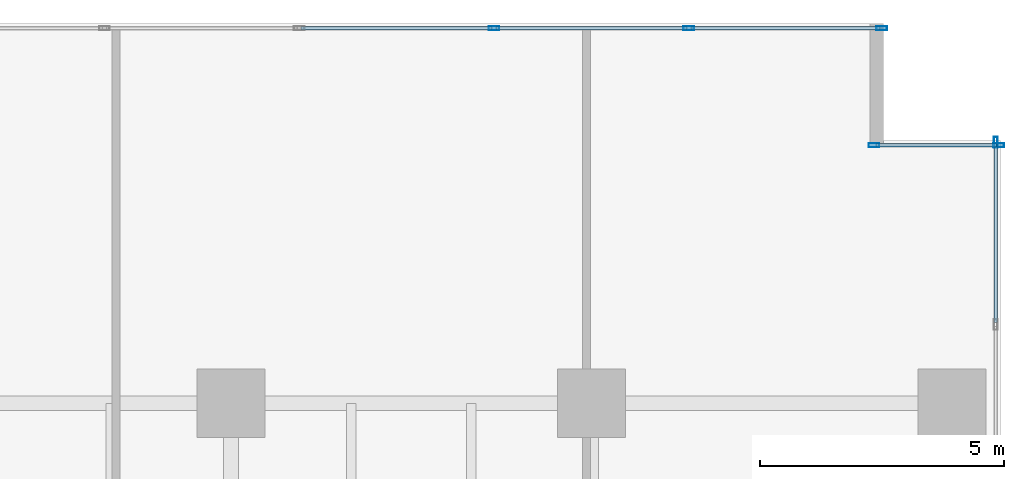
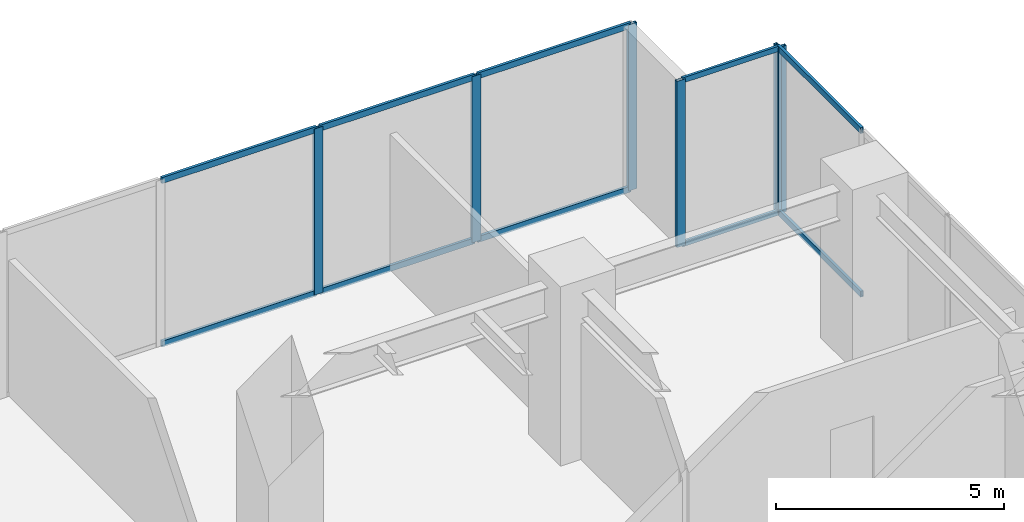
# One storey, part 22 of 32: 16 members, 3 elements without a shape of their own.
"""IFC4 building model written with IfcOpenShell, lengths in metres."""

from ifc_helpers import new_model, si_unit, direction, frame, origin, origin_2d, place, context, subcontext, project, spatial, hollow_rectangle, extrude, source, transform, mapped, material, layer, layer_set, material_profile, profile_set, type_object, type_shapes, element, aggregate, save


model = new_model("IFC4")

# Units and contexts
model_context = context("Model", 3, precision=1e-05, world=origin(), true_north=direction((0.0, 1.0)))
body_context = subcontext(model_context, "Body", "Model", "MODEL_VIEW")
ifc_project = project(units=[si_unit("LENGTHUNIT", "METRE"), si_unit("AREAUNIT", "SQUARE_METRE"), si_unit("VOLUMEUNIT", "CUBIC_METRE"), si_unit("PLANEANGLEUNIT", "RADIAN"), si_unit("MASSUNIT", "GRAM", prefix="KILO")], contexts=[model_context])

# Site, building, storey
site_placement = place(None, origin())
site = spatial("IfcSite", under=ifc_project, at=site_placement, CompositionType="ELEMENT")
building_placement = place(site_placement, origin())
building = spatial("IfcBuilding", under=site, at=building_placement, Name="Haelvirn Gate Laboratories", CompositionType="ELEMENT")
storey_placement = place(building_placement, frame((0.0, 0.0, 5.39990234375)))
storey = spatial("IfcBuildingStorey", under=building, at=storey_placement, Name="L02", CompositionType="ELEMENT", Elevation=5.39990234375)

# Curtain wall, member
ifc_material_1 = material(Name="Anodised bronze unitised aluminium & triple low-E glass", Category="aluminium")
ifc_layer_1 = layer(ifc_material_1, 0.18798828125, Name="CW-SYS-1")
ifc_layer_set_1 = layer_set([ifc_layer_1], Name="Anodised bronze unitised aluminium & triple low-E glass")
curtain_wall_type_1 = type_object("IfcCurtainWallType", Name="CW-SYS-1", PredefinedType="NOTDEFINED", material=ifc_layer_set_1)
curtain_wall_1_placement = place(storey_placement, origin())
curtain_wall_1 = element("IfcCurtainWall", 1, at=curtain_wall_1_placement, inside=storey, type_object=curtain_wall_type_1, Name="L02 Unitised Curtain Wall CW-L02-P1-E03", PredefinedType="NOTDEFINED")
ifc_material_2 = material(Name="Extruded aluminium 6063-T6 (anodised bronze)", Category="aluminium")
ifc_material_profile_1 = material_profile(ifc_material_2, hollow_rectangle(XDim=0.080078125, YDim=0.219970703125, WallThickness=0.006103515625, at=origin_2d()), Name="CWM-220x80x6")
ifc_profile_set_1 = profile_set([ifc_material_profile_1], Name="Extruded aluminium 6063-T6 (anodised bronze)")
member_type_1 = type_object("IfcMemberType", Name="CWM-T220", PredefinedType="MULLION", material=ifc_profile_set_1)
shared_shape_1 = source(origin(), body_context, "Body", "SweptSolid", [
    extrude(hollow_rectangle(XDim=0.080078125, YDim=0.219970703125, WallThickness=0.006103515625, at=origin_2d()), origin(), (0.0, 0.0, 1.0), 4.4501953125),
])
type_shapes(member_type_1, [shared_shape_1])
member_1_placement = place(storey_placement, frame((75.699951171875, 46.9599609375, 0.0), z_axis=(0.0, 0.0, 1.0), x_axis=(-1.0, 0.0, 0.0)))
member_1 = element("IfcMember", 2, at=member_1_placement, type_object=member_type_1, Name="CW1 mullion 13", PredefinedType="MULLION", context=body_context, shape_type="MappedRepresentation", body=[
    mapped(shared_shape_1, transform((0.0, 0.0, 0.0), scale=1.0)),
])

# Curtain wall, members
ifc_layer_2 = layer(ifc_material_1, 0.181884765625, Name="CW-SYS-5")
ifc_layer_set_2 = layer_set([ifc_layer_2], Name="Anodised bronze unitised aluminium & triple low-E glass")
curtain_wall_type_2 = type_object("IfcCurtainWallType", Name="CW-SYS-5", PredefinedType="NOTDEFINED", material=ifc_layer_set_2)
curtain_wall_2_placement = place(storey_placement, origin())
curtain_wall_2 = element("IfcCurtainWall", 3, at=curtain_wall_2_placement, inside=storey, type_object=curtain_wall_type_2, Name="L02 Unitised Curtain Wall CW-L02-P1-E04-1", PredefinedType="NOTDEFINED")
member_2_placement = place(storey_placement, frame((73.199951171875, 46.89990234375, 0.0), z_axis=(0.0, 0.0, 1.0), x_axis=(0.0, 1.0, 0.0)))
member_2 = element("IfcMember", 4, at=member_2_placement, type_object=member_type_1, Name="CW5 mullion 1", PredefinedType="MULLION", context=body_context, shape_type="MappedRepresentation", body=[
    mapped(shared_shape_1, transform((0.0, 0.0, 0.0), scale=1.0)),
])
member_3_placement = place(storey_placement, frame((75.760009765625, 46.89990234375, 0.0), z_axis=(0.0, 0.0, 1.0), x_axis=(0.0, 1.0, 0.0)))
member_3 = element("IfcMember", 5, at=member_3_placement, type_object=member_type_1, Name="CW5 mullion 2", PredefinedType="MULLION", context=body_context, shape_type="MappedRepresentation", body=[
    mapped(shared_shape_1, transform((0.0, 0.0, 0.0), scale=1.0)),
])

curtain_wall_3_placement = place(storey_placement, origin())
curtain_wall_3 = element("IfcCurtainWall", 6, at=curtain_wall_3_placement, inside=storey, type_object=curtain_wall_type_1, Name="L02 Unitised Curtain Wall CW-L02-P1-E06-1", PredefinedType="NOTDEFINED")
member_4_placement = place(storey_placement, frame((65.39990234375, 49.300048828125, 0.0), z_axis=(0.0, 0.0, 1.0), x_axis=(0.0, 1.0, 0.0)))
member_4 = element("IfcMember", 7, at=member_4_placement, type_object=member_type_1, Name="CW1 mullion 5", PredefinedType="MULLION", context=body_context, shape_type="MappedRepresentation", body=[
    mapped(shared_shape_1, transform((0.0, 0.0, 0.0), scale=1.0)),
])
member_5_placement = place(storey_placement, frame((69.39990234375, 49.300048828125, 0.0), z_axis=(0.0, 0.0, 1.0), x_axis=(0.0, 1.0, 0.0)))
member_5 = element("IfcMember", 8, at=member_5_placement, type_object=member_type_1, Name="CW1 mullion 6", PredefinedType="MULLION", context=body_context, shape_type="MappedRepresentation", body=[
    mapped(shared_shape_1, transform((0.0, 0.0, 0.0), scale=1.0)),
])
member_6_placement = place(storey_placement, frame((73.360107421875, 49.300048828125, 0.0), z_axis=(0.0, 0.0, 1.0), x_axis=(0.0, 1.0, 0.0)))
member_6 = element("IfcMember", 9, at=member_6_placement, type_object=member_type_1, Name="CW1 mullion 7", PredefinedType="MULLION", context=body_context, shape_type="MappedRepresentation", body=[
    mapped(shared_shape_1, transform((0.0, 0.0, 0.0), scale=1.0)),
])
ifc_material_profile_2 = material_profile(ifc_material_2, hollow_rectangle(XDim=0.070068359375, YDim=0.159912109375, WallThickness=0.0048828125, at=origin_2d()), Name="CWT-160x70x5")
ifc_profile_set_2 = profile_set([ifc_material_profile_2], Name="Extruded aluminium 6063-T6 (anodised bronze)")
member_type_2 = type_object("IfcMemberType", Name="CWT-T160", PredefinedType="USERDEFINED", material=ifc_profile_set_2)
shared_shape_2 = source(origin(), body_context, "Body", "SweptSolid", [
    extrude(hollow_rectangle(XDim=0.070068359375, YDim=0.159912109375, WallThickness=0.0048828125, at=origin_2d()), origin(), (0.0, 0.0, 1.0), 3.880126953125),
])
member_7_placement = place(storey_placement, frame((69.43994140625, 49.300048828125, 0.03515625), z_axis=(1.0, 0.0, 0.0), x_axis=(0.0, 1.0, 0.0)))
member_7 = element("IfcMember", 10, at=member_7_placement, type_object=member_type_2, Name="CW1 transom 6.1", ObjectType="TRANSOM", PredefinedType="USERDEFINED", context=body_context, shape_type="MappedRepresentation", body=[
    mapped(shared_shape_2, transform((0.0, 0.0, 0.0), scale=1.0)),
])
member_8_placement = place(storey_placement, frame((69.43994140625, 49.300048828125, 4.4150390625), z_axis=(1.0, 0.0, 0.0), x_axis=(0.0, 1.0, 0.0)))
member_8 = element("IfcMember", 11, at=member_8_placement, type_object=member_type_2, Name="CW1 transom 6.2", ObjectType="TRANSOM", PredefinedType="USERDEFINED", context=body_context, shape_type="MappedRepresentation", body=[
    mapped(shared_shape_2, transform((0.0, 0.0, 0.0), scale=1.0)),
])
shared_shape_3 = source(origin(), body_context, "Body", "SweptSolid", [
    extrude(hollow_rectangle(XDim=0.070068359375, YDim=0.159912109375, WallThickness=0.0048828125, at=origin_2d()), origin(), (0.0, 0.0, 1.0), 3.920166015625),
])
member_9_placement = place(storey_placement, frame((61.43994140625, 49.300048828125, 0.03515625), z_axis=(1.0, 0.0, 0.0), x_axis=(0.0, 1.0, 0.0)))
member_9 = element("IfcMember", 12, at=member_9_placement, type_object=member_type_2, Name="CW1 transom 4.1", ObjectType="TRANSOM", PredefinedType="USERDEFINED", context=body_context, shape_type="MappedRepresentation", body=[
    mapped(shared_shape_3, transform((0.0, 0.0, 0.0), scale=1.0)),
])
member_10_placement = place(storey_placement, frame((61.43994140625, 49.300048828125, 4.4150390625), z_axis=(1.0, 0.0, 0.0), x_axis=(0.0, 1.0, 0.0)))
member_10 = element("IfcMember", 13, at=member_10_placement, type_object=member_type_2, Name="CW1 transom 4.2", ObjectType="TRANSOM", PredefinedType="USERDEFINED", context=body_context, shape_type="MappedRepresentation", body=[
    mapped(shared_shape_3, transform((0.0, 0.0, 0.0), scale=1.0)),
])
member_11_placement = place(storey_placement, frame((65.43994140625, 49.300048828125, 0.03515625), z_axis=(1.0, 0.0, 0.0), x_axis=(0.0, 1.0, 0.0)))
member_11 = element("IfcMember", 14, at=member_11_placement, type_object=member_type_2, Name="CW1 transom 5.1", ObjectType="TRANSOM", PredefinedType="USERDEFINED", context=body_context, shape_type="MappedRepresentation", body=[
    mapped(shared_shape_3, transform((0.0, 0.0, 0.0), scale=1.0)),
])
member_12_placement = place(storey_placement, frame((65.43994140625, 49.300048828125, 4.4150390625), z_axis=(1.0, 0.0, 0.0), x_axis=(0.0, 1.0, 0.0)))
member_12 = element("IfcMember", 15, at=member_12_placement, type_object=member_type_2, Name="CW1 transom 5.2", ObjectType="TRANSOM", PredefinedType="USERDEFINED", context=body_context, shape_type="MappedRepresentation", body=[
    mapped(shared_shape_3, transform((0.0, 0.0, 0.0), scale=1.0)),
])
aggregate(curtain_wall_3, [member_4, member_5, member_6, member_9, member_10, member_11, member_12, member_7, member_8])

# Member
ifc_material_profile_3 = material_profile(ifc_material_2, hollow_rectangle(XDim=0.06494140625, YDim=0.139892578125, WallThickness=0.00390625, at=origin_2d()), Name="CWT-140x65x4")
ifc_profile_set_3 = profile_set([ifc_material_profile_3], Name="Extruded aluminium 6063-T6 (anodised bronze)")
member_type_3 = type_object("IfcMemberType", Name="CWT-T140", PredefinedType="USERDEFINED", material=ifc_profile_set_3)
shared_shape_4 = source(origin(), body_context, "Body", "SweptSolid", [
    extrude(hollow_rectangle(XDim=0.06494140625, YDim=0.139892578125, WallThickness=0.00390625, at=origin_2d()), origin(), (0.0, 0.0, 1.0), 2.47998046875),
])
type_shapes(member_type_3, [shared_shape_4])
member_13_placement = place(storey_placement, frame((73.239990234375, 46.89990234375, 0.03271484375), z_axis=(1.0, 0.0, 0.0), x_axis=(0.0, 1.0, 0.0)))
member_13 = element("IfcMember", 16, at=member_13_placement, type_object=member_type_3, Name="CW5 transom 1.1", ObjectType="TRANSOM", PredefinedType="USERDEFINED", context=body_context, shape_type="MappedRepresentation", body=[
    mapped(shared_shape_4, transform((0.0, 0.0, 0.0), scale=1.0)),
])

member_14_placement = place(storey_placement, frame((73.239990234375, 46.89990234375, 4.41748046875), z_axis=(1.0, 0.0, 0.0), x_axis=(0.0, 1.0, 0.0)))
member_14 = element("IfcMember", 17, at=member_14_placement, type_object=member_type_3, Name="CW5 transom 1.2", ObjectType="TRANSOM", PredefinedType="USERDEFINED", context=body_context, shape_type="MappedRepresentation", body=[
    mapped(shared_shape_4, transform((0.0, 0.0, 0.0), scale=1.0)),
])

aggregate(curtain_wall_2, [member_2, member_3, member_13, member_14])

shared_shape_5 = source(origin(), body_context, "Body", "SweptSolid", [
    extrude(hollow_rectangle(XDim=0.070068359375, YDim=0.159912109375, WallThickness=0.0048828125, at=origin_2d()), origin(), (0.0, 0.0, 1.0), 3.663330078125),
])
type_shapes(member_type_2, [shared_shape_2, shared_shape_3, shared_shape_5])
member_15_placement = place(storey_placement, frame((75.699951171875, 43.256591796875, 0.03515625), z_axis=(0.0, 1.0, 0.0), x_axis=(-1.0, 0.0, 0.0)))
member_15 = element("IfcMember", 18, at=member_15_placement, type_object=member_type_2, Name="CW1 transom 12.1", ObjectType="TRANSOM", PredefinedType="USERDEFINED", context=body_context, shape_type="MappedRepresentation", body=[
    mapped(shared_shape_5, transform((0.0, 0.0, 0.0), scale=1.0)),
])

member_16_placement = place(storey_placement, frame((75.699951171875, 43.256591796875, 4.4150390625), z_axis=(0.0, 1.0, 0.0), x_axis=(-1.0, 0.0, 0.0)))
member_16 = element("IfcMember", 19, at=member_16_placement, type_object=member_type_2, Name="CW1 transom 12.2", ObjectType="TRANSOM", PredefinedType="USERDEFINED", context=body_context, shape_type="MappedRepresentation", body=[
    mapped(shared_shape_5, transform((0.0, 0.0, 0.0), scale=1.0)),
])

aggregate(curtain_wall_1, [member_1, member_15, member_16])

save(model, "model.ifc")
